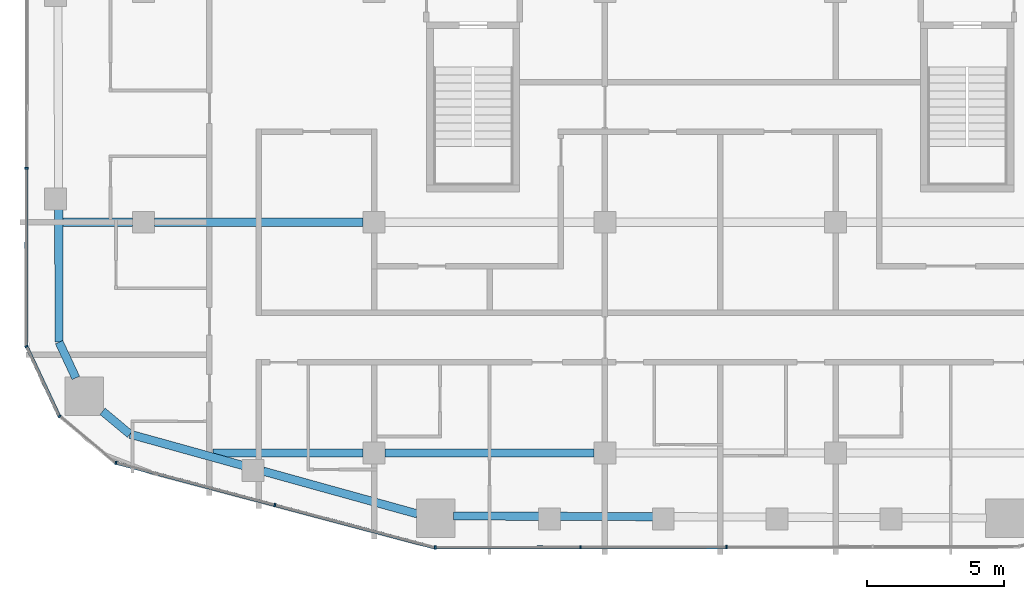
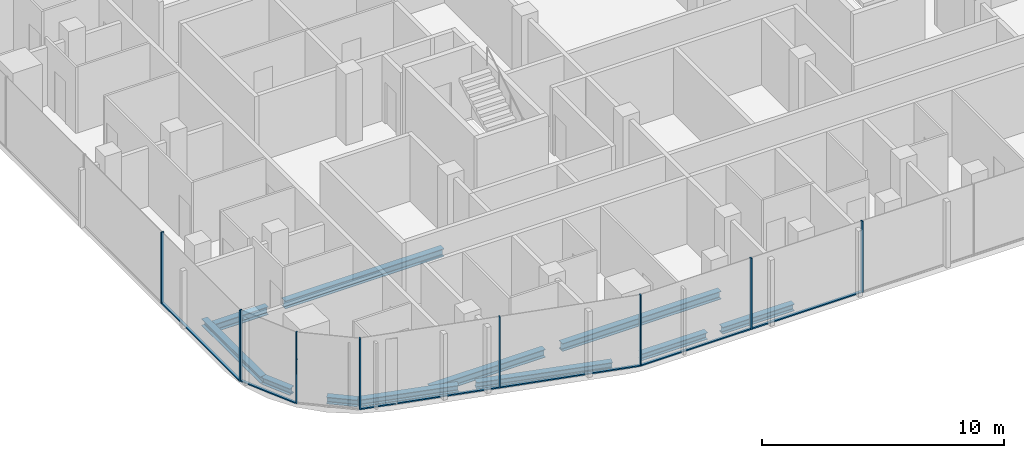
# One storey, part 2 of 22: 14 members, 11 beams, 5 elements without a shape of their own.
"""IFC4 building model written with IfcOpenShell, lengths in metres."""

import ifcopenshell
import ifcopenshell.guid

model = None  # the IFC model being written
_history = None  # IfcOwnerHistory: only IFC2X3 demands one
_inside = {}  # id of a spatial element -> (the spatial element, [elements in it])
_under = {}  # id of a project, library or spatial element -> (it, [spatial elements below it])
_declared = {}  # id of a project -> (the project, [libraries it declares])
_typed = {}  # id of a type object -> (the type object, [elements of that type])
_made_of = {}  # id of a material, layer set ... -> (it, [elements and type objects made of it])


def new_model(schema):
    """Start an empty IFC model of exactly this schema.

    Asked for "IFC4X3", IfcOpenShell would pick the latest addendum, in which some entities
    have other attributes; the version numbers below select the first issue.
    IFC2X3 requires an IfcOwnerHistory on every rooted entity: one is made here for all.
    """
    global model, _history
    if schema == "IFC4X3":
        model = ifcopenshell.file(schema_version=(4, 3, 0, 0))
    else:
        model = ifcopenshell.file(schema=schema)
    _inside.clear()
    _under.clear()
    _declared.clear()
    _typed.clear()
    _made_of.clear()
    _history = None
    if model.schema == "IFC2X3":
        org = make("IfcOrganization", Name="unknown")
        user = make(
            "IfcPersonAndOrganization",
            ThePerson=make("IfcPerson", FamilyName="unknown"),
            TheOrganization=org,
        )
        app = make(
            "IfcApplication",
            ApplicationDeveloper=org,
            Version="unknown",
            ApplicationFullName="unknown",
            ApplicationIdentifier="unknown",
        )
        _history = make(
            "IfcOwnerHistory",
            OwningUser=user,
            OwningApplication=app,
            ChangeAction="ADDED",
            CreationDate=0,
        )
    return model


def make(cls, **values):
    """One entity of the class cls with the attributes given. An attribute that is None is left unset."""
    return model.create_entity(
        cls, **{name: value for name, value in values.items() if value is not None}
    )


def rooted(cls, **values):
    """An entity with a GlobalId (a new one), such as an element, a storey or a relation."""
    return make(cls, GlobalId=ifcopenshell.guid.new(), OwnerHistory=_history, **values)


def si_unit(unit_type, name, prefix=None):
    """IfcSIUnit, for example si_unit("LENGTHUNIT", "METRE", prefix="MILLI")."""
    return make("IfcSIUnit", UnitType=unit_type, Prefix=prefix, Name=name)


def assignment(units):
    """IfcUnitAssignment: the units of a project."""
    return None if units is None else make("IfcUnitAssignment", Units=units)


def point(xyz):
    """IfcCartesianPoint."""
    return None if xyz is None else make("IfcCartesianPoint", Coordinates=xyz)


def direction(xyz):
    """IfcDirection."""
    return None if xyz is None else make("IfcDirection", DirectionRatios=xyz)


def frame(location, z_axis=None, x_axis=None):
    """IfcAxis2Placement3D, a coordinate frame: its origin and axes. An axis left out is left unset."""
    return make(
        "IfcAxis2Placement3D",
        Location=point(location),
        Axis=direction(z_axis),
        RefDirection=direction(x_axis),
    )


def frame_2d(location, x_axis=None):
    """IfcAxis2Placement2D, a coordinate frame in the plane: its origin and x axis."""
    return make(
        "IfcAxis2Placement2D", Location=point(location), RefDirection=direction(x_axis)
    )


def origin():
    """The frame at (0, 0, 0) with its axes left unset."""
    return frame((0.0, 0.0, 0.0))


def origin_2d():
    """The frame at (0, 0) in the plane with its x axis left unset."""
    return frame_2d((0.0, 0.0))


def place(relative_to, where):
    """IfcLocalPlacement: puts the frame where relative to a parent placement (None: the world)."""
    return make(
        "IfcLocalPlacement", PlacementRelTo=relative_to, RelativePlacement=where
    )


def context(
    kind, dimensions, precision=None, world=None, true_north=None, identifier=None
):
    """IfcGeometricRepresentationContext, for example the 3D "Model" context."""
    return make(
        "IfcGeometricRepresentationContext",
        ContextIdentifier=identifier,
        ContextType=kind,
        CoordinateSpaceDimension=dimensions,
        Precision=precision,
        WorldCoordinateSystem=world,
        TrueNorth=true_north,
    )


def subcontext(parent, identifier, kind, view, scale=None):
    """IfcGeometricRepresentationSubContext, for example "Body" below "Model"."""
    return make(
        "IfcGeometricRepresentationSubContext",
        ContextIdentifier=identifier,
        ContextType=kind,
        ParentContext=parent,
        TargetScale=scale,
        TargetView=view,
    )


def project(units=None, contexts=None):
    """IfcProject with its units and contexts."""
    return rooted(
        "IfcProject",
        Name="project",
        RepresentationContexts=contexts,
        UnitsInContext=assignment(units),
    )


def spatial(cls, under=None, at=None, **own):
    """A site, building, storey or space (cls), placed at a placement, below another one or the project."""
    s = rooted(cls, ObjectPlacement=at, **own)
    if under is not None:
        _under.setdefault(under.id(), (under, []))[1].append(s)
    return s


def profile(cls, at=None, kind="AREA", **sizes):
    """A parametric profile (cls). Its sizes go by their IFC names, for example OverallWidth=200.0."""
    return make(cls, ProfileType=kind, Position=at, **sizes)


def rectangle(**sizes):
    """IfcRectangleProfileDef."""
    return profile("IfcRectangleProfileDef", **sizes)


def i_section(**sizes):
    """IfcIShapeProfileDef."""
    return profile("IfcIShapeProfileDef", **sizes)


def extrude(swept, where, along, depth):
    """IfcExtrudedAreaSolid: the profile swept, set in the frame where, extruded along a direction by depth."""
    return make(
        "IfcExtrudedAreaSolid",
        SweptArea=swept,
        Position=where,
        ExtrudedDirection=direction(along),
        Depth=depth,
    )


def shape(context_of_items, identifier, shape_type, items):
    """IfcShapeRepresentation: the items that make up one representation, for example the "Body"."""
    return make(
        "IfcShapeRepresentation",
        ContextOfItems=context_of_items,
        RepresentationIdentifier=identifier,
        RepresentationType=shape_type,
        Items=items,
    )


def material(Name=None, Category=None):
    """IfcMaterial."""
    return make("IfcMaterial", Name=Name, Category=Category)


def layer(
    of_material, thickness, ventilated=None, Name=None, Category=None, Priority=None
):
    """IfcMaterialLayer: one layer of a wall or slab, of a material (None: an air gap)."""
    return make(
        "IfcMaterialLayer",
        Material=of_material,
        LayerThickness=thickness,
        IsVentilated=ventilated,
        Name=Name,
        Category=Category,
        Priority=Priority,
    )


def layer_set(layers, Name=None):
    """IfcMaterialLayerSet."""
    return make("IfcMaterialLayerSet", MaterialLayers=layers, LayerSetName=Name)


def material_profile(
    of_material, cross_section, Name=None, Category=None, Priority=None
):
    """IfcMaterialProfile: a cross section and its material."""
    return make(
        "IfcMaterialProfile",
        Name=Name,
        Material=of_material,
        Profile=cross_section,
        Priority=Priority,
        Category=Category,
    )


def profile_set(profiles, Name=None, composite=None):
    """IfcMaterialProfileSet."""
    return make(
        "IfcMaterialProfileSet",
        Name=Name,
        MaterialProfiles=profiles,
        CompositeProfile=composite,
    )


def made_of(thing, what):
    """Note that an element or type object is made of a material, layer set ...; save() writes the relation."""
    if what is not None:
        _made_of.setdefault(what.id(), (what, []))[1].append(thing)
    return thing


def type_object(cls, material=None, **own):
    """A type object (cls), such as IfcWallType, which elements share."""
    return made_of(rooted(cls, **own), material)


def element(
    cls,
    number,
    at=None,
    inside=None,
    cuts=None,
    type_object=None,
    material=None,
    context=None,
    identifier="Body",
    shape_type=None,
    held_by="IfcProductDefinitionShape",
    body=None,
    shapes=None,
    **own,
):
    """One element of the class cls, such as IfcWall. Its Tag is "e" and its number.

    at: its placement. inside: the storey or other place that contains it. cuts: it is an
    opening in that element (IfcRelVoidsElement). A single representation is given by context,
    identifier, shape_type and body (its items); several are given by shapes. held_by: the class
    of the entity that holds the representations. save() writes the other relations.
    """
    e = rooted(cls, Tag="e%d" % number, ObjectPlacement=at, **own)
    if body is not None:
        shapes = [shape(context, identifier, shape_type, body)]
    if shapes is not None:
        e.Representation = make(held_by, Representations=shapes)
    if inside is not None:
        _inside.setdefault(inside.id(), (inside, []))[1].append(e)
    if cuts is not None:
        rooted(
            "IfcRelVoidsElement", RelatingBuildingElement=cuts, RelatedOpeningElement=e
        )
    if type_object is not None:
        _typed.setdefault(type_object.id(), (type_object, []))[1].append(e)
    return made_of(e, material)


def aggregate(whole, parts):
    """IfcRelAggregates: a whole, such as a stair, and the parts it consists of."""
    return rooted("IfcRelAggregates", RelatingObject=whole, RelatedObjects=parts)


def save(model, path):
    """Write the relations noted so far, then the file.

    IfcRelAggregates (storeys below a building ...), IfcRelContainedInSpatialStructure (elements
    in a storey), IfcRelDefinesByType, IfcRelAssociatesMaterial and IfcRelDeclares: one each for
    every whole, place, type object, material and project.
    """
    for whole, parts in _under.values():
        aggregate(whole, parts)
    for where, things in _inside.values():
        rooted(
            "IfcRelContainedInSpatialStructure",
            RelatedElements=things,
            RelatingStructure=where,
        )
    for kind, things in _typed.values():
        rooted("IfcRelDefinesByType", RelatedObjects=things, RelatingType=kind)
    for what, things in _made_of.values():
        rooted("IfcRelAssociatesMaterial", RelatedObjects=things, RelatingMaterial=what)
    for by, libraries in _declared.values():
        rooted("IfcRelDeclares", RelatingContext=by, RelatedDefinitions=libraries)
    model.write(path)


model = new_model("IFC4")

# Units and contexts
model_context = context("Model", 3, precision=1e-05, world=origin(), true_north=direction((0.0, 1.0)))
body_context = subcontext(model_context, "Body", "Model", "MODEL_VIEW")
ifc_project = project(units=[si_unit("LENGTHUNIT", "METRE"), si_unit("AREAUNIT", "SQUARE_METRE"), si_unit("VOLUMEUNIT", "CUBIC_METRE"), si_unit("PLANEANGLEUNIT", "RADIAN"), si_unit("MASSUNIT", "GRAM", prefix="KILO")], contexts=[model_context])

# Site, building, storey
site_placement = place(None, origin())
site = spatial("IfcSite", under=ifc_project, at=site_placement, CompositionType="ELEMENT")
building_placement = place(site_placement, origin())
building = spatial("IfcBuilding", under=site, at=building_placement, Name="Marenta Gate Hotel Tower", CompositionType="ELEMENT")
storey_placement = place(building_placement, frame((0.0, 0.0, 238.10009765625)))
storey = spatial("IfcBuildingStorey", under=building, at=storey_placement, Name="L56", CompositionType="ELEMENT", Elevation=238.10009765625)

# Beams
ifc_material_1 = material(Name="Steel S355", Category="steel")
ifc_material_profile_1 = material_profile(ifc_material_1, i_section(OverallWidth=0.300048828125, OverallDepth=0.340087890625, WebThickness=0.011962890625, FlangeThickness=0.021484375, FilletRadius=0.027099609375, at=origin_2d()), Name="HEB 340")
ifc_profile_set_1 = profile_set([ifc_material_profile_1], Name="Steel S355")
beam_type_1 = type_object("IfcBeamType", Name="Edge beam HEB 340", PredefinedType="SPANDREL", material=ifc_profile_set_1)
beam_1_placement = place(storey_placement, frame((-11.02783203125, -27.42236328125, -0.43017578125), z_axis=(-0.963619240724, 0.267278803699, 0.0), x_axis=(-0.267278803699, -0.963619240724, 0.0)))
element("IfcBeam", 1, at=beam_1_placement, inside=storey, type_object=beam_type_1, Name="L56-EB-1", PredefinedType="SPANDREL", context=body_context, shape_type="SweptSolid", body=[
    extrude(i_section(OverallWidth=0.300048828125, OverallDepth=0.340087890625, WebThickness=0.011962890625, FlangeThickness=0.021484375, FilletRadius=0.027099609375, at=origin_2d()), origin(), (0.0, 0.0, 1.0), 5.82958984375),
])
beam_2_placement = place(storey_placement, frame((-17.3681640625, -25.663818359375, -0.43017578125), z_axis=(-0.963628037304, 0.267247087396, 0.0), x_axis=(-0.267247087396, -0.963628037304, 0.0)))
element("IfcBeam", 2, at=beam_2_placement, inside=storey, type_object=beam_type_1, Name="L56-EB-2", PredefinedType="SPANDREL", context=body_context, shape_type="SweptSolid", body=[
    extrude(i_section(OverallWidth=0.300048828125, OverallDepth=0.340087890625, WebThickness=0.011962890625, FlangeThickness=0.021484375, FilletRadius=0.027099609375, at=origin_2d()), origin(), (0.0, 0.0, 1.0), 4.284423828125),
])
beam_3_placement = place(storey_placement, frame((-21.496826171875, -24.518798828125, -0.43017578125), z_axis=(-0.767065103149, 0.641569269472, 0.0), x_axis=(-0.641569269472, -0.767065103149, 0.0)))
element("IfcBeam", 3, at=beam_3_placement, inside=storey, type_object=beam_type_1, Name="L56-EB-3", PredefinedType="SPANDREL", context=body_context, shape_type="SweptSolid", body=[
    extrude(i_section(OverallWidth=0.300048828125, OverallDepth=0.340087890625, WebThickness=0.011962890625, FlangeThickness=0.021484375, FilletRadius=0.027099609375, at=origin_2d()), origin(), (0.0, 0.0, 1.0), 1.299560546875),
])
beam_4_placement = place(storey_placement, frame((-23.466796875, -22.46923828125, -0.43017578125), z_axis=(-0.423341112024, 0.905970365338, 0.0), x_axis=(-0.905970365338, -0.423341112024, 0.0)))
element("IfcBeam", 4, at=beam_4_placement, inside=storey, type_object=beam_type_1, Name="L56-EB-4", PredefinedType="SPANDREL", context=body_context, shape_type="SweptSolid", body=[
    extrude(i_section(OverallWidth=0.300048828125, OverallDepth=0.340087890625, WebThickness=0.011962890625, FlangeThickness=0.021484375, FilletRadius=0.027099609375, at=origin_2d()), origin(), (0.0, 0.0, 1.0), 1.437255859375),
])
beam_5_placement = place(storey_placement, frame((-24.0751953125, -21.167236328125, -0.43017578125), z_axis=(-0.003318732666, 0.999994492992, 0.0), x_axis=(-0.999994492992, -0.003318732666, 0.0)))
element("IfcBeam", 5, at=beam_5_placement, inside=storey, type_object=beam_type_1, Name="L56-EB-5", PredefinedType="SPANDREL", context=body_context, shape_type="SweptSolid", body=[
    extrude(i_section(OverallWidth=0.300048828125, OverallDepth=0.340087890625, WebThickness=0.011962890625, FlangeThickness=0.021484375, FilletRadius=0.027099609375, at=origin_2d()), origin(), (0.0, 0.0, 1.0), 4.855224609375),
])
beam_6_placement = place(storey_placement, frame((-2.433349609375, -27.5234375, -0.43017578125), z_axis=(-0.999992599416, 0.003847221457, 0.0), x_axis=(-0.003847221457, -0.999992599416, 0.0)))
element("IfcBeam", 6, at=beam_6_placement, inside=storey, type_object=beam_type_1, Name="L56-EB-35", PredefinedType="SPANDREL", context=body_context, shape_type="SweptSolid", body=[
    extrude(i_section(OverallWidth=0.300048828125, OverallDepth=0.340087890625, WebThickness=0.011962890625, FlangeThickness=0.021484375, FilletRadius=0.027099609375, at=origin_2d()), origin(), (0.0, 0.0, 1.0), 3.4267578125),
])
beam_7_placement = place(storey_placement, frame((-6.580078125, -27.507568359375, -0.43017578125), z_axis=(-0.99999237665, 0.00390469495, 0.0), x_axis=(-0.00390469495, -0.99999237665, 0.0)))
element("IfcBeam", 7, at=beam_7_placement, inside=storey, type_object=beam_type_1, Name="L56-EB-36", PredefinedType="SPANDREL", context=body_context, shape_type="SweptSolid", body=[
    extrude(i_section(OverallWidth=0.300048828125, OverallDepth=0.340087890625, WebThickness=0.011962890625, FlangeThickness=0.021484375, FilletRadius=0.027099609375, at=origin_2d()), origin(), (0.0, 0.0, 1.0), 3.126220703125),
])
ifc_material_2 = material(Name="Steel S355", Category="steel")
ifc_material_profile_2 = material_profile(ifc_material_2, i_section(OverallWidth=0.300048828125, OverallDepth=0.39990234375, WebThickness=0.013427734375, FlangeThickness=0.02392578125, FilletRadius=0.027099609375, at=origin_2d()), Name="HEB 400")
ifc_profile_set_2 = profile_set([ifc_material_profile_2], Name="Steel S355")
beam_type_2 = type_object("IfcBeamType", Name="Girder HEB 400", PredefinedType="BEAM", material=ifc_profile_set_2)
beam_8_placement = place(storey_placement, frame((-18.479248046875, -25.199951171875, -0.460205078125), z_axis=(1.0, 0.0, 0.0), x_axis=(0.0, 1.0, 0.0)))
element("IfcBeam", 8, at=beam_8_placement, inside=storey, type_object=beam_type_2, Name="L56-GD-1", PredefinedType="BEAM", context=body_context, shape_type="SweptSolid", body=[
    extrude(i_section(OverallWidth=0.300048828125, OverallDepth=0.39990234375, WebThickness=0.013427734375, FlangeThickness=0.02392578125, FilletRadius=0.027099609375, at=origin_2d()), origin(), (0.0, 0.0, 1.0), 5.479248046875),
])
beam_9_placement = place(storey_placement, frame((-12.199951171875, -25.199951171875, -0.460205078125), z_axis=(1.0, 0.0, 0.0), x_axis=(0.0, 1.0, 0.0)))
element("IfcBeam", 9, at=beam_9_placement, inside=storey, type_object=beam_type_2, Name="L56-GD-2", PredefinedType="BEAM", context=body_context, shape_type="SweptSolid", body=[
    extrude(i_section(OverallWidth=0.300048828125, OverallDepth=0.39990234375, WebThickness=0.013427734375, FlangeThickness=0.02392578125, FilletRadius=0.027099609375, at=origin_2d()), origin(), (0.0, 0.0, 1.0), 7.599853515625),
])
beam_10_placement = place(storey_placement, frame((-23.939697265625, -16.800048828125, -0.460205078125), z_axis=(1.0, 0.0, 0.0), x_axis=(0.0, 1.0, 0.0)))
element("IfcBeam", 10, at=beam_10_placement, inside=storey, type_object=beam_type_2, Name="L56-GD-6", PredefinedType="BEAM", context=body_context, shape_type="SweptSolid", body=[
    extrude(i_section(OverallWidth=0.300048828125, OverallDepth=0.39990234375, WebThickness=0.013427734375, FlangeThickness=0.02392578125, FilletRadius=0.027099609375, at=origin_2d()), origin(), (0.0, 0.0, 1.0), 2.539794921875),
])
beam_11_placement = place(storey_placement, frame((-20.60009765625, -16.800048828125, -0.460205078125), z_axis=(1.0, 0.0, 0.0), x_axis=(0.0, 1.0, 0.0)))
element("IfcBeam", 11, at=beam_11_placement, inside=storey, type_object=beam_type_2, Name="L56-GD-7", PredefinedType="BEAM", context=body_context, shape_type="SweptSolid", body=[
    extrude(i_section(OverallWidth=0.300048828125, OverallDepth=0.39990234375, WebThickness=0.013427734375, FlangeThickness=0.02392578125, FilletRadius=0.027099609375, at=origin_2d()), origin(), (0.0, 0.0, 1.0), 7.60009765625),
])

# Curtain wall, member
ifc_material_3 = material(Name="Tinted insulated glass in bronze anodised frame", Category="glass")
ifc_layer = layer(ifc_material_3, 0.1201171875)
ifc_layer_set = layer_set([ifc_layer], Name="Tinted insulated glass in bronze anodised frame")
curtain_wall_type = type_object("IfcCurtainWallType", Name="Tower unitised curtain wall CW1", PredefinedType="NOTDEFINED", material=ifc_layer_set)
curtain_wall_1_placement = place(storey_placement, origin())
curtain_wall_1 = element("IfcCurtainWall", 12, at=curtain_wall_1_placement, inside=storey, type_object=curtain_wall_type, Name="CW1 run G03", PredefinedType="NOTDEFINED")
ifc_material_4 = material(Name="Bronze anodised aluminium", Category="aluminium")
ifc_material_profile_3 = material_profile(ifc_material_4, rectangle(XDim=0.1201171875, YDim=0.06005859375, at=origin_2d()), Name="Mullion CW1 60x120 bronze anodised aluminium")
ifc_profile_set_3 = profile_set([ifc_material_profile_3], Name="Bronze anodised aluminium")
member_type_1 = type_object("IfcMemberType", Name="Mullion CW1 60x120 bronze anodised aluminium", PredefinedType="MULLION", material=ifc_profile_set_3)
member_1_placement = place(storey_placement, frame((-25.262939453125, -14.833740234375, 0.0), z_axis=(0.0, 0.0, 1.0), x_axis=(0.99999877375, -0.001566045546, 0.0)))
member_1 = element("IfcMember", 13, at=member_1_placement, type_object=member_type_1, Name="CW1 mullion 6", PredefinedType="MULLION", context=body_context, shape_type="SweptSolid", body=[
    extrude(rectangle(XDim=0.1201171875, YDim=0.06005859375, at=origin_2d()), origin(), (0.0, 0.0, 1.0), 3.599853515625),
])

curtain_wall_2_placement = place(storey_placement, origin())
curtain_wall_2 = element("IfcCurtainWall", 14, at=curtain_wall_2_placement, inside=storey, type_object=curtain_wall_type, Name="CW1 run G04", PredefinedType="NOTDEFINED")
member_2_placement = place(storey_placement, frame((-25.26025390625, -21.321044921875, 0.0), z_axis=(0.0, 0.0, 1.0), x_axis=(0.905972194447, 0.42333719762, 0.0)))
member_2 = element("IfcMember", 15, at=member_2_placement, type_object=member_type_1, Name="CW1 mullion 1", PredefinedType="MULLION", context=body_context, shape_type="SweptSolid", body=[
    extrude(rectangle(XDim=0.1201171875, YDim=0.06005859375, at=origin_2d()), origin(), (0.0, 0.0, 1.0), 3.599853515625),
])

curtain_wall_3_placement = place(storey_placement, origin())
curtain_wall_3 = element("IfcCurtainWall", 16, at=curtain_wall_3_placement, inside=storey, type_object=curtain_wall_type, Name="CW1 run G05", PredefinedType="NOTDEFINED")
member_3_placement = place(storey_placement, frame((-24.059814453125, -23.85986328125, 0.0), z_axis=(0.0, 0.0, 1.0), x_axis=(0.641524739495, 0.767102345594, 0.0)))
member_3 = element("IfcMember", 17, at=member_3_placement, type_object=member_type_1, Name="CW1 mullion 1", PredefinedType="MULLION", context=body_context, shape_type="SweptSolid", body=[
    extrude(rectangle(XDim=0.1201171875, YDim=0.06005859375, at=origin_2d()), origin(), (0.0, 0.0, 1.0), 3.599853515625),
])
aggregate(curtain_wall_3, [member_3])

# Curtain wall, members
curtain_wall_4_placement = place(storey_placement, origin())
curtain_wall_4 = element("IfcCurtainWall", 18, at=curtain_wall_4_placement, inside=storey, type_object=curtain_wall_type, Name="CW1 run G06", PredefinedType="NOTDEFINED")
member_4_placement = place(storey_placement, frame((-22.00634765625, -25.560791015625, 0.0), z_axis=(0.0, 0.0, 1.0), x_axis=(0.257139197271, 0.966374375295, 0.0)))
member_4 = element("IfcMember", 19, at=member_4_placement, type_object=member_type_1, Name="CW1 mullion 1", PredefinedType="MULLION", context=body_context, shape_type="SweptSolid", body=[
    extrude(rectangle(XDim=0.1201171875, YDim=0.06005859375, at=origin_2d()), origin(), (0.0, 0.0, 1.0), 3.599853515625),
])
member_5_placement = place(storey_placement, frame((-16.220703125, -27.100341796875, 0.0), z_axis=(0.0, 0.0, 1.0), x_axis=(0.257139197271, 0.966374375295, 0.0)))
member_5 = element("IfcMember", 20, at=member_5_placement, type_object=member_type_1, Name="CW1 mullion 2", PredefinedType="MULLION", context=body_context, shape_type="SweptSolid", body=[
    extrude(rectangle(XDim=0.1201171875, YDim=0.06005859375, at=origin_2d()), origin(), (0.0, 0.0, 1.0), 3.599853515625),
])

curtain_wall_5_placement = place(storey_placement, origin())
curtain_wall_5 = element("IfcCurtainWall", 21, at=curtain_wall_5_placement, inside=storey, type_object=curtain_wall_type, Name="CW1 run G07", PredefinedType="NOTDEFINED")
member_6_placement = place(storey_placement, frame((-10.3759765625, -28.6474609375, 0.0), z_axis=(0.0, 0.0, 1.0), x_axis=(-0.001644757804, 0.999998647385, 0.0)))
member_6 = element("IfcMember", 22, at=member_6_placement, type_object=member_type_1, Name="CW1 mullion 1", PredefinedType="MULLION", context=body_context, shape_type="SweptSolid", body=[
    extrude(rectangle(XDim=0.1201171875, YDim=0.06005859375, at=origin_2d()), origin(), (0.0, 0.0, 1.0), 3.599853515625),
])
member_7_placement = place(storey_placement, frame((-5.086181640625, -28.638671875, 0.0), z_axis=(0.0, 0.0, 1.0), x_axis=(-0.001644757804, 0.999998647385, 0.0)))
member_7 = element("IfcMember", 23, at=member_7_placement, type_object=member_type_1, Name="CW1 mullion 2", PredefinedType="MULLION", context=body_context, shape_type="SweptSolid", body=[
    extrude(rectangle(XDim=0.1201171875, YDim=0.06005859375, at=origin_2d()), origin(), (0.0, 0.0, 1.0), 3.599853515625),
])
member_8_placement = place(storey_placement, frame((0.23388671875, -28.6298828125, 0.0), z_axis=(0.0, 0.0, 1.0), x_axis=(-0.001644757804, 0.999998647385, 0.0)))
member_8 = element("IfcMember", 24, at=member_8_placement, type_object=member_type_1, Name="CW1 mullion 3", PredefinedType="MULLION", context=body_context, shape_type="SweptSolid", body=[
    extrude(rectangle(XDim=0.1201171875, YDim=0.06005859375, at=origin_2d()), origin(), (0.0, 0.0, 1.0), 3.599853515625),
])

# Member
ifc_material_5 = material(Name="Bronze anodised aluminium", Category="aluminium")
ifc_material_profile_4 = material_profile(ifc_material_5, rectangle(XDim=0.1201171875, YDim=0.06005859375, at=origin_2d()), Name="Transom CW1 60x120 bronze anodised aluminium")
ifc_profile_set_4 = profile_set([ifc_material_profile_4], Name="Bronze anodised aluminium")
member_type_2 = type_object("IfcMemberType", Name="Transom CW1 60x120 bronze anodised aluminium", PredefinedType="USERDEFINED", material=ifc_profile_set_4)
member_9_placement = place(storey_placement, frame((-25.262939453125, -14.86376953125, 0.02978515625), z_axis=(-0.001556743377, -0.999998788274, 0.0), x_axis=(0.999998788274, -0.001556743377, 0.0)))
member_9 = element("IfcMember", 25, at=member_9_placement, type_object=member_type_2, Name="CW1 transom 6.1", ObjectType="TRANSOM", PredefinedType="USERDEFINED", context=body_context, shape_type="SweptSolid", body=[
    extrude(rectangle(XDim=0.1201171875, YDim=0.06005859375, at=origin_2d()), origin(), (0.0, 0.0, 1.0), 6.429931640625),
])

aggregate(curtain_wall_1, [member_1, member_9])

member_10_placement = place(storey_placement, frame((-25.24755859375, -21.34814453125, 0.02978515625), z_axis=(0.423274054321, -0.906001696984, 0.0), x_axis=(0.906001696984, 0.423274054321, 0.0)))
member_10 = element("IfcMember", 26, at=member_10_placement, type_object=member_type_2, Name="CW1 transom 1.1", ObjectType="TRANSOM", PredefinedType="USERDEFINED", context=body_context, shape_type="SweptSolid", body=[
    extrude(rectangle(XDim=0.1201171875, YDim=0.06005859375, at=origin_2d()), origin(), (0.0, 0.0, 1.0), 2.751220703125),
])

aggregate(curtain_wall_2, [member_2, member_10])

member_11_placement = place(storey_placement, frame((-21.977294921875, -25.568603515625, 0.02978515625), z_axis=(0.966378365457, -0.257124201073, 0.0), x_axis=(0.257124201073, 0.966378365457, 0.0)))
member_11 = element("IfcMember", 27, at=member_11_placement, type_object=member_type_2, Name="CW1 transom 1.1", ObjectType="TRANSOM", PredefinedType="USERDEFINED", context=body_context, shape_type="SweptSolid", body=[
    extrude(rectangle(XDim=0.1201171875, YDim=0.06005859375, at=origin_2d()), origin(), (0.0, 0.0, 1.0), 5.9267578125),
])

member_12_placement = place(storey_placement, frame((-16.191650390625, -27.10791015625, 0.02978515625), z_axis=(0.966371521912, -0.257149920549, 0.0), x_axis=(0.257149920549, 0.966371521912, 0.0)))
member_12 = element("IfcMember", 28, at=member_12_placement, type_object=member_type_2, Name="CW1 transom 2.1", ObjectType="TRANSOM", PredefinedType="USERDEFINED", context=body_context, shape_type="SweptSolid", body=[
    extrude(rectangle(XDim=0.1201171875, YDim=0.06005859375, at=origin_2d()), origin(), (0.0, 0.0, 1.0), 5.987060546875),
])

aggregate(curtain_wall_4, [member_4, member_5, member_11, member_12])

member_13_placement = place(storey_placement, frame((-10.345947265625, -28.6474609375, 0.02978515625), z_axis=(0.999998665295, 0.001633832195, 0.0), x_axis=(-0.001633832195, 0.999998665295, 0.0)))
member_13 = element("IfcMember", 29, at=member_13_placement, type_object=member_type_2, Name="CW1 transom 1.1", ObjectType="TRANSOM", PredefinedType="USERDEFINED", context=body_context, shape_type="SweptSolid", body=[
    extrude(rectangle(XDim=0.1201171875, YDim=0.06005859375, at=origin_2d()), origin(), (0.0, 0.0, 1.0), 5.22998046875),
])

member_14_placement = place(storey_placement, frame((-5.05615234375, -28.638671875, 0.02978515625), z_axis=(0.999998680491, 0.001624504703, 0.0), x_axis=(-0.001624504703, 0.999998680491, 0.0)))
member_14 = element("IfcMember", 30, at=member_14_placement, type_object=member_type_2, Name="CW1 transom 2.1", ObjectType="TRANSOM", PredefinedType="USERDEFINED", context=body_context, shape_type="SweptSolid", body=[
    extrude(rectangle(XDim=0.1201171875, YDim=0.06005859375, at=origin_2d()), origin(), (0.0, 0.0, 1.0), 5.260009765625),
])

aggregate(curtain_wall_5, [member_6, member_7, member_8, member_13, member_14])

save(model, "model.ifc")
